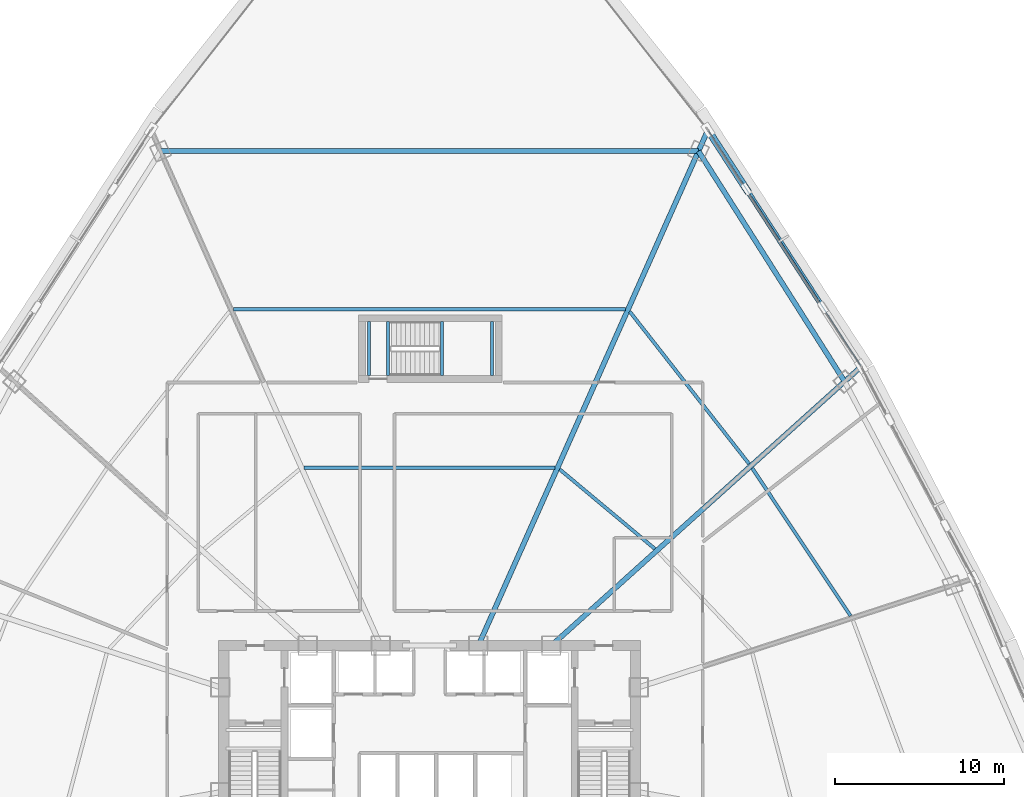
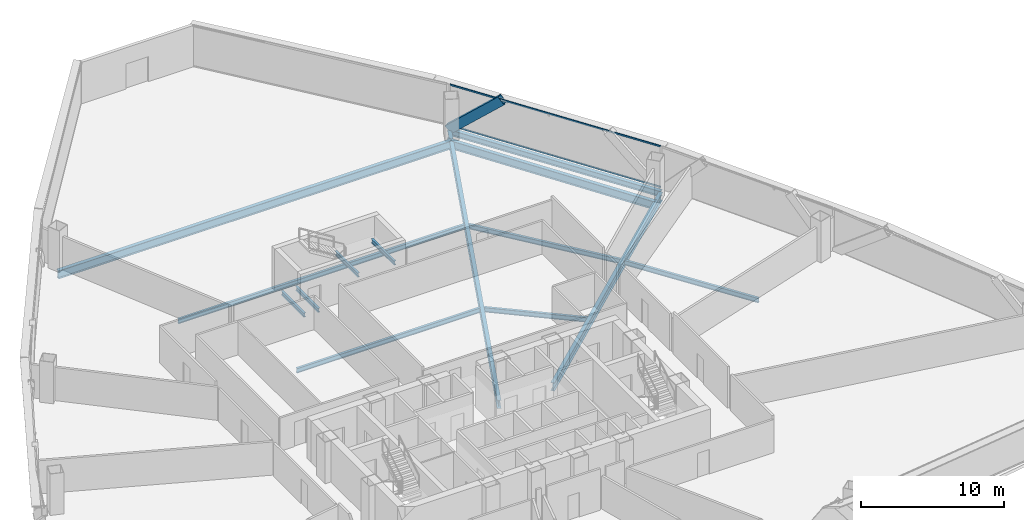
# One storey, part 19 of 41: 14 beams, 3 members, 1 element without a shape of its own.
"""IFC4 building model written with IfcOpenShell, lengths in metres."""

from ifc_helpers import new_model, si_unit, direction, frame, origin, origin_2d, place, context, subcontext, project, spatial, hollow_rectangle, i_section, extrude, source, transform, mapped, material, layer, layer_set, material_profile, profile_set, type_object, element, aggregate, save


model = new_model("IFC4")

# Units and contexts
model_context = context("Model", 3, precision=1e-05, world=origin(), true_north=direction((0.0, 1.0)))
body_context = subcontext(model_context, "Body", "Model", "MODEL_VIEW")
ifc_project = project(units=[si_unit("LENGTHUNIT", "METRE"), si_unit("AREAUNIT", "SQUARE_METRE"), si_unit("VOLUMEUNIT", "CUBIC_METRE"), si_unit("PLANEANGLEUNIT", "RADIAN"), si_unit("MASSUNIT", "GRAM", prefix="KILO"), si_unit("THERMODYNAMICTEMPERATUREUNIT", "KELVIN"), si_unit("POWERUNIT", "WATT")], contexts=[model_context])

# Site, building, storey
site_placement = place(None, origin())
site = spatial("IfcSite", under=ifc_project, at=site_placement, CompositionType="ELEMENT")
building_placement = place(site_placement, origin())
building = spatial("IfcBuilding", under=site, at=building_placement, Name="Yunzhuo Pagoda Commons", CompositionType="ELEMENT")
storey_placement = place(building_placement, frame((0.0, 0.0, 111.580078125)))
storey = spatial("IfcBuildingStorey", under=building, at=storey_placement, Name="L28", CompositionType="ELEMENT", Elevation=111.580078125)

# Beams
ifc_material_1 = material(Name="Structural steel Q355B", Category="steel")
ifc_material_profile_1 = material_profile(ifc_material_1, i_section(OverallWidth=0.175048828125, OverallDepth=0.35009765625, WebThickness=0.007080078125, FlangeThickness=0.010986328125, at=origin_2d()), Name="Structural steel Q355B")
ifc_profile_set_1 = profile_set([ifc_material_profile_1], Name="Structural steel Q355B")
beam_type_1 = type_object("IfcBeamType", Name="B-JS2 Joist HN 350x175x7x11", PredefinedType="JOIST", material=ifc_profile_set_1)
shared_shape_1 = source(origin(), body_context, "Body", "SweptSolid", [
    extrude(i_section(OverallWidth=0.175048828125, OverallDepth=0.35009765625, WebThickness=0.007080078125, FlangeThickness=0.010986328125, at=origin_2d()), origin(), (0.0, 0.0, 1.0), 3.199951171875),
])
for number, where, z_axis, x_axis, name in (
    (1, (48.75, 56.199951171875, 1.525146484375), (0.0, 1.0, 0.0), (-1.0, 0.0, 0.0), "L28 ST3 landing support beam 34A"),
    (2, (51.699951171875, 56.199951171875, 1.525146484375), (0.0, 1.0, 0.0), (-1.0, 0.0, 0.0), "L28 ST3 landing support beam 34B"),
    (3, (44.39990234375, 56.199951171875, -0.375), (0.0, 1.0, 0.0), (-1.0, 0.0, 0.0), "L28 ST3 landing support beam 102A"),
    (4, (45.550048828125, 56.199951171875, -0.375), (0.0, 1.0, 0.0), (-1.0, 0.0, 0.0), "L28 ST3 landing support beam 102B"),
):
    element("IfcBeam", number, at=place(storey_placement, frame(where, z_axis=z_axis, x_axis=x_axis)), inside=storey, type_object=beam_type_1, Name=name, PredefinedType="JOIST", context=body_context, shape_type="MappedRepresentation", body=[
        mapped(shared_shape_1, transform((0.0, 0.0, 0.0), scale=1.0)),
    ])
ifc_material_profile_2 = material_profile(ifc_material_1, i_section(OverallWidth=0.300048828125, OverallDepth=0.699951171875, WebThickness=0.012939453125, FlangeThickness=0.02392578125, at=origin_2d()), Name="Structural steel Q355B")
ifc_profile_set_2 = profile_set([ifc_material_profile_2], Name="Structural steel Q355B")
beam_type_2 = type_object("IfcBeamType", Name="B-RG1 Beam HN 700x300x13x24", PredefinedType="BEAM", material=ifc_profile_set_2)
shared_shape_2 = source(origin(), body_context, "Body", "SweptSolid", [
    extrude(i_section(OverallWidth=0.300048828125, OverallDepth=0.699951171875, WebThickness=0.012939453125, FlangeThickness=0.02392578125, at=origin_2d()), origin(), (0.0, 0.0, 1.0), 16.16845703125),
])
beam_1_placement = place(storey_placement, frame((72.602783203125, 55.852294921875, -0.610107421875), z_axis=(-0.535695673154, 0.844411123662, 0.0), x_axis=(-0.844411123662, -0.535695673154, 0.0)))
element("IfcBeam", 5, at=beam_1_placement, inside=storey, type_object=beam_type_2, Name="L28 column-ring beam 7", PredefinedType="BEAM", context=body_context, shape_type="MappedRepresentation", body=[
    mapped(shared_shape_2, transform((0.0, 0.0, 0.0), scale=1.0)),
])
shared_shape_3 = source(origin(), body_context, "Body", "SweptSolid", [
    extrude(i_section(OverallWidth=0.300048828125, OverallDepth=0.699951171875, WebThickness=0.012939453125, FlangeThickness=0.02392578125, at=origin_2d()), origin(), (0.0, 0.0, 1.0), 31.8828125),
])
beam_2_placement = place(storey_placement, frame((63.94140625, 69.505126953125, -0.610107421875), z_axis=(-1.0, 0.0, 0.0), x_axis=(0.0, -1.0, 0.0)))
element("IfcBeam", 6, at=beam_2_placement, inside=storey, type_object=beam_type_2, Name="L28 column-ring beam 8", PredefinedType="BEAM", context=body_context, shape_type="MappedRepresentation", body=[
    mapped(shared_shape_3, transform((0.0, 0.0, 0.0), scale=1.0)),
])
ifc_material_profile_3 = material_profile(ifc_material_1, i_section(OverallWidth=0.199951171875, OverallDepth=0.39990234375, WebThickness=0.008056640625, FlangeThickness=0.012939453125, at=origin_2d()), Name="Structural steel Q355B")
ifc_profile_set_3 = profile_set([ifc_material_profile_3], Name="Structural steel Q355B")
beam_type_3 = type_object("IfcBeamType", Name="B-JS1 Joist HN 400x200x8x13", PredefinedType="JOIST", material=ifc_profile_set_3)
shared_shape_4 = source(origin(), body_context, "Body", "SweptSolid", [
    extrude(i_section(OverallWidth=0.199951171875, OverallDepth=0.39990234375, WebThickness=0.008056640625, FlangeThickness=0.012939453125, at=origin_2d()), origin(), (0.0, 0.0, 1.0), 10.50537109375),
])
beam_3_placement = place(storey_placement, frame((72.95361328125, 41.968994140625, -0.4599609375), z_axis=(-0.554523204193, 0.832168261839, 0.0), x_axis=(-0.832168261839, -0.554523204193, 0.0)))
element("IfcBeam", 7, at=beam_3_placement, inside=storey, type_object=beam_type_3, Name="L28 composite ring joist 2.6", PredefinedType="JOIST", context=body_context, shape_type="MappedRepresentation", body=[
    mapped(shared_shape_4, transform((0.0, 0.0, 0.0), scale=1.0)),
])
shared_shape_5 = source(origin(), body_context, "Body", "SweptSolid", [
    extrude(i_section(OverallWidth=0.199951171875, OverallDepth=0.39990234375, WebThickness=0.008056640625, FlangeThickness=0.012939453125, at=origin_2d()), origin(), (0.0, 0.0, 1.0), 7.350341796875),
])
beam_4_placement = place(storey_placement, frame((61.355224609375, 45.936767578125, -0.4599609375), z_axis=(-0.767589283892, 0.640942034239, 0.0), x_axis=(-0.640942034239, -0.767589283892, 0.0)))
element("IfcBeam", 8, at=beam_4_placement, inside=storey, type_object=beam_type_3, Name="L28 composite ring joist 1.7", PredefinedType="JOIST", context=body_context, shape_type="MappedRepresentation", body=[
    mapped(shared_shape_5, transform((0.0, 0.0, 0.0), scale=1.0)),
])
shared_shape_6 = source(origin(), body_context, "Body", "SweptSolid", [
    extrude(i_section(OverallWidth=0.199951171875, OverallDepth=0.39990234375, WebThickness=0.008056640625, FlangeThickness=0.012939453125, at=origin_2d()), origin(), (0.0, 0.0, 1.0), 11.475830078125),
])
beam_5_placement = place(storey_placement, frame((66.942138671875, 50.96875, -0.4599609375), z_axis=(-0.616739539478, 0.787167288728, 0.0), x_axis=(-0.787167288728, -0.616739539478, 0.0)))
element("IfcBeam", 9, at=beam_5_placement, inside=storey, type_object=beam_type_3, Name="L28 composite ring joist 2.7", PredefinedType="JOIST", context=body_context, shape_type="MappedRepresentation", body=[
    mapped(shared_shape_6, transform((0.0, 0.0, 0.0), scale=1.0)),
])
shared_shape_7 = source(origin(), body_context, "Body", "SweptSolid", [
    extrude(i_section(OverallWidth=0.199951171875, OverallDepth=0.39990234375, WebThickness=0.008056640625, FlangeThickness=0.012939453125, at=origin_2d()), origin(), (0.0, 0.0, 1.0), 14.8642578125),
])
beam_6_placement = place(storey_placement, frame((55.43212890625, 50.749755859375, -0.4599609375), z_axis=(-1.0, 0.0, 0.0), x_axis=(0.0, -1.0, 0.0)))
element("IfcBeam", 10, at=beam_6_placement, inside=storey, type_object=beam_type_3, Name="L28 composite ring joist 1.8", PredefinedType="JOIST", context=body_context, shape_type="MappedRepresentation", body=[
    mapped(shared_shape_7, transform((0.0, 0.0, 0.0), scale=1.0)),
])
shared_shape_8 = source(origin(), body_context, "Body", "SweptSolid", [
    extrude(i_section(OverallWidth=0.199951171875, OverallDepth=0.39990234375, WebThickness=0.008056640625, FlangeThickness=0.012939453125, at=origin_2d()), origin(), (0.0, 0.0, 1.0), 23.21484375),
])
beam_7_placement = place(storey_placement, frame((59.607421875, 60.12744140625, -0.4599609375), z_axis=(-1.0, 0.0, 0.0), x_axis=(0.0, -1.0, 0.0)))
element("IfcBeam", 11, at=beam_7_placement, inside=storey, type_object=beam_type_3, Name="L28 composite ring joist 2.8", PredefinedType="JOIST", context=body_context, shape_type="MappedRepresentation", body=[
    mapped(shared_shape_8, transform((0.0, 0.0, 0.0), scale=1.0)),
])
shared_shape_9 = source(origin(), body_context, "Body", "SweptSolid", [
    extrude(i_section(OverallWidth=0.300048828125, OverallDepth=0.699951171875, WebThickness=0.012939453125, FlangeThickness=0.02392578125, at=origin_2d()), origin(), (0.0, 0.0, 1.0), 24.568359375),
])
beam_8_placement = place(storey_placement, frame((73.476806640625, 56.639404296875, -0.610107421875), z_axis=(-0.743143916503, -0.669131615876, 0.0), x_axis=(0.669131615876, -0.743143916503, 0.0)))
element("IfcBeam", 12, at=beam_8_placement, inside=storey, type_object=beam_type_2, Name="L28 radial floor girder F2C3", PredefinedType="BEAM", context=body_context, shape_type="MappedRepresentation", body=[
    mapped(shared_shape_9, transform((0.0, 0.0, 0.0), scale=1.0)),
])
shared_shape_10 = source(origin(), body_context, "Body", "SweptSolid", [
    extrude(i_section(OverallWidth=0.300048828125, OverallDepth=0.699951171875, WebThickness=0.012939453125, FlangeThickness=0.02392578125, at=origin_2d()), origin(), (0.0, 0.0, 1.0), 33.302490234375),
])
beam_9_placement = place(storey_placement, frame((64.439208984375, 70.623291015625, -0.610107421875), z_axis=(-0.406732192738, -0.913547439048, 0.0), x_axis=(0.913547439048, -0.406732192738, 0.0)))
element("IfcBeam", 13, at=beam_9_placement, inside=storey, type_object=beam_type_2, Name="L28 radial floor girder F2C4", PredefinedType="BEAM", context=body_context, shape_type="MappedRepresentation", body=[
    mapped(shared_shape_10, transform((0.0, 0.0, 0.0), scale=1.0)),
])
ifc_material_profile_4 = material_profile(ifc_material_1, i_section(OverallWidth=0.300048828125, OverallDepth=0.488037109375, WebThickness=0.010986328125, FlangeThickness=0.01806640625, at=origin_2d()), Name="Structural steel Q355B")
ifc_profile_set_4 = profile_set([ifc_material_profile_4], Name="Structural steel Q355B")
beam_type_4 = type_object("IfcBeamType", Name="B-SP1 Beam HM 488x300x11x18", PredefinedType="BEAM", material=ifc_profile_set_4)
shared_shape_11 = source(origin(), body_context, "Body", "SweptSolid", [
    extrude(i_section(OverallWidth=0.300048828125, OverallDepth=0.488037109375, WebThickness=0.010986328125, FlangeThickness=0.01806640625, at=origin_2d()), origin(), (0.0, 0.0, 1.0), 16.710205078125),
])
beam_10_placement = place(storey_placement, frame((73.592041015625, 56.743408203125, -0.504150390625), z_axis=(-0.543973185702, 0.839102599947, 0.0), x_axis=(-0.839102599947, -0.543973185702, 0.0)))
element("IfcBeam", 14, at=beam_10_placement, inside=storey, type_object=beam_type_4, Name="L28 facade edge spandrel beam F2.3", PredefinedType="BEAM", context=body_context, shape_type="MappedRepresentation", body=[
    mapped(shared_shape_11, transform((0.0, 0.0, 0.0), scale=1.0)),
])

# Member
ifc_material_2 = material(Name="Structural steel Q420B", Category="steel")
ifc_material_profile_5 = material_profile(ifc_material_2, hollow_rectangle(XDim=0.419921875, YDim=0.719970703125, WallThickness=0.028076171875, at=origin_2d()), Name="Structural steel Q420B")
ifc_profile_set_5 = profile_set([ifc_material_profile_5], Name="Structural steel Q420B")
member_type_1 = type_object("IfcMemberType", Name="M-DL1 Brace BOX 720x420x28", PredefinedType="BRACE", material=ifc_profile_set_5)
shared_shape_12 = source(origin(), body_context, "Body", "SweptSolid", [
    extrude(hollow_rectangle(XDim=0.419921875, YDim=0.719970703125, WallThickness=0.028076171875, at=origin_2d()), origin(), (0.0, 0.0, 1.0), 5.647216796875),
])
member_1_placement = place(storey_placement, frame((64.502197265625, 70.764892578125, -0.260009765625), z_axis=(0.402444302352, -0.620678144685, 0.672902091106), x_axis=(0.83905862765, 0.544041008901, 0.0)))
element("IfcMember", 15, at=member_1_placement, inside=storey, type_object=member_type_1, Name="L28 facade diamond brace F2.3R", PredefinedType="BRACE", context=body_context, shape_type="MappedRepresentation", body=[
    mapped(shared_shape_12, transform((0.0, 0.0, 0.0), scale=1.0)),
])

# Curtain wall, members
ifc_material_3 = material(Name="Anodized aluminium 6063-T6", Category="aluminium")
ifc_layer = layer(ifc_material_3, 0.1650390625)
ifc_layer_set = layer_set([ifc_layer], Name="Anodized aluminium 6063-T6")
curtain_wall_type = type_object("IfcCurtainWallType", Name="CW-LOW Low-Zone Ribbon Curtain Wall", PredefinedType="NOTDEFINED", material=ifc_layer_set)
curtain_wall_placement = place(storey_placement, origin())
curtain_wall = element("IfcCurtainWall", 16, at=curtain_wall_placement, inside=storey, type_object=curtain_wall_type, Name="L28 curtain wall CW-L28-F2B4", PredefinedType="NOTDEFINED")
ifc_material_profile_6 = material_profile(ifc_material_3, hollow_rectangle(XDim=0.06005859375, YDim=0.139892578125, WallThickness=0.00341796875, at=origin_2d()), Name="Anodized aluminium 6063-T6")
ifc_profile_set_6 = profile_set([ifc_material_profile_6], Name="Anodized aluminium 6063-T6")
member_type_2 = type_object("IfcMemberType", Name="CW-LOW-T Transom RHS 140x60x3.5", PredefinedType="USERDEFINED", material=ifc_profile_set_6)
shared_shape_13 = source(origin(), body_context, "Body", "SweptSolid", [
    extrude(hollow_rectangle(XDim=0.06005859375, YDim=0.139892578125, WallThickness=0.00341796875, at=origin_2d()), origin(), (0.0, 0.0, 1.0), 16.580322265625),
])
member_2_placement = place(storey_placement, frame((73.556640625, 56.7978515625, 0.030029296875), z_axis=(-0.543964194314, 0.839108428812, 0.0), x_axis=(-0.839108428812, -0.543964194314, 0.0)))
member_2 = element("IfcMember", 17, at=member_2_placement, type_object=member_type_2, Name="CW transom 1.1", ObjectType="TRANSOM", PredefinedType="USERDEFINED", context=body_context, shape_type="MappedRepresentation", body=[
    mapped(shared_shape_13, transform((0.0, 0.0, 0.0), scale=1.0)),
])
member_3_placement = place(storey_placement, frame((73.556640625, 56.7978515625, 3.510009765625), z_axis=(-0.543964194314, 0.839108428812, 0.0), x_axis=(-0.839108428812, -0.543964194314, 0.0)))
member_3 = element("IfcMember", 18, at=member_3_placement, type_object=member_type_2, Name="CW transom 1.2", ObjectType="TRANSOM", PredefinedType="USERDEFINED", context=body_context, shape_type="MappedRepresentation", body=[
    mapped(shared_shape_13, transform((0.0, 0.0, 0.0), scale=1.0)),
])
aggregate(curtain_wall, [member_2, member_3])

save(model, "model.ifc")
